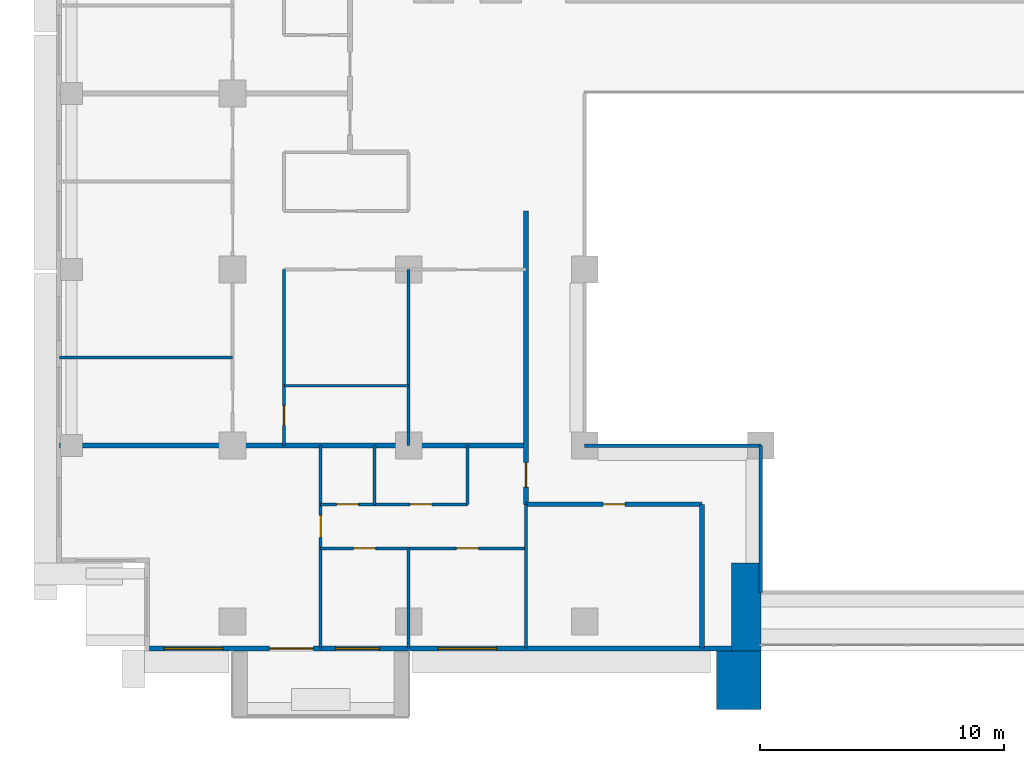
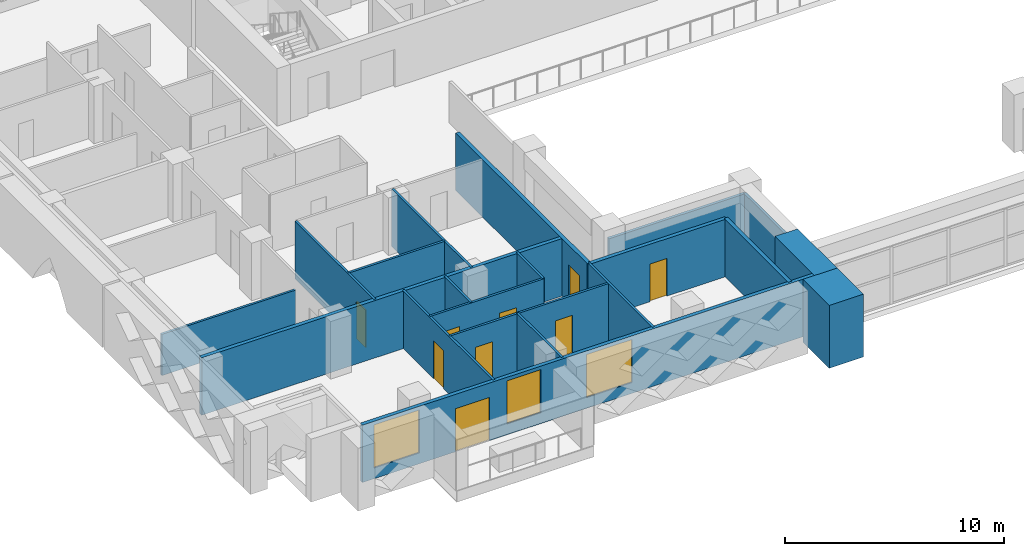
# One storey, part 6 of 19: 20 walls, 9 doors, 3 windows, 12 openings.
"""IFC4 building model written with IfcOpenShell, lengths in metres."""

from ifc_helpers import new_model, si_unit, direction, frame, frame_2d, origin, place, context, subcontext, project, spatial, rectangle, extrude, material, layer, layer_set, type_object, element, fill, save


model = new_model("IFC4")

# Units and contexts
model_context = context("Model", 3, precision=1e-05, world=origin(), true_north=direction((0.0, 1.0)))
body_context = subcontext(model_context, "Body", "Model", "MODEL_VIEW")
ifc_project = project(units=[si_unit("LENGTHUNIT", "METRE"), si_unit("AREAUNIT", "SQUARE_METRE"), si_unit("VOLUMEUNIT", "CUBIC_METRE"), si_unit("PLANEANGLEUNIT", "RADIAN"), si_unit("MASSUNIT", "GRAM", prefix="KILO")], contexts=[model_context])

# Site, building, storey
site_placement = place(None, origin())
site = spatial("IfcSite", under=ifc_project, at=site_placement, CompositionType="ELEMENT")
building_placement = place(site_placement, origin())
building = spatial("IfcBuilding", under=site, at=building_placement, Name="Saffron Iwan Residences", CompositionType="ELEMENT")
storey_placement = place(building_placement, frame((0.0, 0.0, 116.5)))
storey = spatial("IfcBuildingStorey", under=building, at=storey_placement, Name="L30", CompositionType="ELEMENT", Elevation=116.5)

# Walls
ifc_material_1 = material(Name="Fire-rated glazing", Category="glass")
ifc_layer_1 = layer(ifc_material_1, 0.14990234375)
ifc_layer_set_1 = layer_set([ifc_layer_1], Name="Fire-rated glazing")
wall_type_1 = type_object("IfcWallType", Name="Atrium glazed screen 150", PredefinedType="SOLIDWALL", material=ifc_layer_set_1)
wall_1_placement = place(storey_placement, frame((36.0, 48.0, 0.0), z_axis=(0.0, 0.0, 1.0), x_axis=(1.0, 0.0, 0.0)))
element("IfcWall", 1, at=wall_1_placement, inside=storey, type_object=wall_type_1, Name="W-L30-SCREEN-h48-36", PredefinedType="SOLIDWALL", context=body_context, shape_type="SweptSolid", body=[
    extrude(rectangle(XDim=7.199951171875, YDim=0.14990234375, at=frame_2d((3.60009765625, 0.0))), origin(), (0.0, 0.0, 1.0), 2.300048828125),
])
wall_2_placement = place(storey_placement, frame((43.199951171875, 42.0, 0.0), z_axis=(0.0, 0.0, 1.0), x_axis=(0.0, 1.0, 0.0)))
element("IfcWall", 2, at=wall_2_placement, inside=storey, type_object=wall_type_1, Name="W-L30-SCREEN-v43.2-42", PredefinedType="SOLIDWALL", context=body_context, shape_type="SweptSolid", body=[
    extrude(rectangle(XDim=6.0, YDim=0.14990234375, at=frame_2d((3.0, 0.0))), origin(), (0.0, 0.0, 1.0), 2.300048828125),
])

# Wall, openings, door, windows
ifc_material_2 = material(Name="Concrete C40/50", Category="concrete")
ifc_layer_2 = layer(ifc_material_2, 0.199951171875)
ifc_layer_set_2 = layer_set([ifc_layer_2], Name="Concrete C40/50")
wall_type_2 = type_object("IfcWallType", Name="EXTERNAL WALL 200", PredefinedType="SOLIDWALL", material=ifc_layer_set_2)
wall_3_placement = place(storey_placement, frame((18.199951171875, 39.699951171875, 0.0), z_axis=(0.0, 0.0, 1.0), x_axis=(1.0, 0.0, 0.0)))
wall_3 = element("IfcWall", 3, at=wall_3_placement, inside=storey, type_object=wall_type_2, Name="External wall L30 F11.0", PredefinedType="SOLIDWALL", context=body_context, shape_type="SweptSolid", body=[
    extrude(rectangle(XDim=23.800048828125, YDim=0.199951171875, at=frame_2d((11.89990234375, 0.0))), origin(), (0.0, 0.0, 1.0), 3.199951171875),
])
opening_1_placement = place(wall_3_placement, frame((4.89990234375, 0.0, 0.0)))
opening_1 = element("IfcOpeningElement", 4, at=opening_1_placement, cuts=wall_3, Name="Opening BD1", PredefinedType="OPENING", context=body_context, shape_type="SweptSolid", body=[
    extrude(rectangle(XDim=1.800048828125, YDim=2.39990234375, at=frame_2d((0.89990234375, 1.199951171875))), frame((0.0, 0.10986328125, 0.0), z_axis=(0.0, -1.0, 0.0), x_axis=(1.0, 0.0, 0.0)), (0.0, 0.0, 1.0), 0.219970703125),
])
opening_2_placement = place(wall_3_placement, frame((0.60009765625, 0.0, 0.60009765625)))
opening_2 = element("IfcOpeningElement", 5, at=opening_2_placement, cuts=wall_3, Name="Opening W1", PredefinedType="OPENING", context=body_context, shape_type="SweptSolid", body=[
    extrude(rectangle(XDim=2.39990234375, YDim=2.39990234375, at=frame_2d((1.199951171875, 1.199951171875))), frame((0.0, 0.10986328125, 0.0), z_axis=(0.0, -1.0, 0.0), x_axis=(1.0, 0.0, 0.0)), (0.0, 0.0, 1.0), 0.219970703125),
])
opening_3_placement = place(wall_3_placement, frame((7.60009765625, 0.0, 0.60009765625)))
opening_3 = element("IfcOpeningElement", 6, at=opening_3_placement, cuts=wall_3, Name="Opening W8", PredefinedType="OPENING", context=body_context, shape_type="SweptSolid", body=[
    extrude(rectangle(XDim=1.800048828125, YDim=2.39990234375, at=frame_2d((0.89990234375, 1.199951171875))), frame((0.0, 0.10986328125, 0.0), z_axis=(0.0, -1.0, 0.0), x_axis=(1.0, 0.0, 0.0)), (0.0, 0.0, 1.0), 0.219970703125),
])
opening_4_placement = place(wall_3_placement, frame((11.800048828125, 0.0, 0.60009765625)))
opening_4 = element("IfcOpeningElement", 7, at=opening_4_placement, cuts=wall_3, Name="Opening W1", PredefinedType="OPENING", context=body_context, shape_type="SweptSolid", body=[
    extrude(rectangle(XDim=2.39990234375, YDim=2.39990234375, at=frame_2d((1.199951171875, 1.199951171875))), frame((0.0, 0.10986328125, 0.0), z_axis=(0.0, -1.0, 0.0), x_axis=(1.0, 0.0, 0.0)), (0.0, 0.0, 1.0), 0.219970703125),
])
ifc_material_3 = material(Name="Clear glass, laminated double glazed", Category="glass")
door_type_1 = type_object("IfcDoorType", Name="BALCONY DOOR 1800 x 2400", OperationType="DOUBLE_DOOR_SLIDING", PredefinedType="DOOR", material=ifc_material_3)
door_1_placement = place(opening_1_placement, origin())
door_1 = element("IfcDoor", 8, at=door_1_placement, inside=storey, type_object=door_type_1, Name="Balcony door L30 F11.0", OperationType="DOUBLE_DOOR_SLIDING", OverallHeight=2.39990234375, OverallWidth=1.800048828125, PredefinedType="DOOR", context=body_context, shape_type="SweptSolid", body=[
    extrude(rectangle(XDim=1.800048828125, YDim=2.39990234375, at=frame_2d((0.89990234375, 1.199951171875))), frame((0.0, 0.02490234375, 0.0), z_axis=(0.0, -1.0, 0.0), x_axis=(1.0, 0.0, 0.0)), (0.0, 0.0, 1.0), 0.050048828125),
])
fill(opening_1, door_1)
window_type_1 = type_object("IfcWindowType", Name="WINDOW 1800 x 2400", PartitioningType="DOUBLE_PANEL_VERTICAL", PredefinedType="WINDOW", material=ifc_material_3)
window_1_placement = place(opening_3_placement, origin())
window_1 = element("IfcWindow", 9, at=window_1_placement, inside=storey, type_object=window_type_1, Name="Window L30 F11.2", OverallHeight=2.39990234375, OverallWidth=1.800048828125, PartitioningType="DOUBLE_PANEL_VERTICAL", PredefinedType="WINDOW", context=body_context, shape_type="SweptSolid", body=[
    extrude(rectangle(XDim=1.800048828125, YDim=2.39990234375, at=frame_2d((0.89990234375, 1.199951171875))), frame((0.0, 0.030029296875, 0.0), z_axis=(0.0, -1.0, 0.0), x_axis=(1.0, 0.0, 0.0)), (0.0, 0.0, 1.0), 0.06005859375),
])
fill(opening_3, window_1)
window_type_2 = type_object("IfcWindowType", Name="WINDOW 2400 x 2400", PartitioningType="DOUBLE_PANEL_VERTICAL", PredefinedType="WINDOW", material=ifc_material_3)
window_2_placement = place(opening_2_placement, origin())
window_2 = element("IfcWindow", 10, at=window_2_placement, inside=storey, type_object=window_type_2, Name="Window L30 F11.1", OverallHeight=2.39990234375, OverallWidth=2.39990234375, PartitioningType="DOUBLE_PANEL_VERTICAL", PredefinedType="WINDOW", context=body_context, shape_type="SweptSolid", body=[
    extrude(rectangle(XDim=2.39990234375, YDim=2.39990234375, at=frame_2d((1.199951171875, 1.199951171875))), frame((0.0, 0.030029296875, 0.0), z_axis=(0.0, -1.0, 0.0), x_axis=(1.0, 0.0, 0.0)), (0.0, 0.0, 1.0), 0.06005859375),
])
fill(opening_2, window_2)
window_3_placement = place(opening_4_placement, origin())
window_3 = element("IfcWindow", 11, at=window_3_placement, inside=storey, type_object=window_type_2, Name="Window L30 F11.3", OverallHeight=2.39990234375, OverallWidth=2.39990234375, PartitioningType="DOUBLE_PANEL_VERTICAL", PredefinedType="WINDOW", context=body_context, shape_type="SweptSolid", body=[
    extrude(rectangle(XDim=2.39990234375, YDim=2.39990234375, at=frame_2d((1.199951171875, 1.199951171875))), frame((0.0, 0.030029296875, 0.0), z_axis=(0.0, -1.0, 0.0), x_axis=(1.0, 0.0, 0.0)), (0.0, 0.0, 1.0), 0.06005859375),
])
fill(opening_4, window_3)

# Wall
ifc_material_4 = material(Name="Fire-rated gypsum board wall")
ifc_layer_3 = layer(ifc_material_4, 0.199951171875)
ifc_layer_set_3 = layer_set([ifc_layer_3], Name="Fire-rated gypsum board wall")
wall_type_3 = type_object("IfcWallType", Name="Flat demising wall 200", PredefinedType="SOLIDWALL", material=ifc_layer_set_3)
wall_4_placement = place(storey_placement, frame((14.52490234375, 48.0, 0.0), z_axis=(0.0, 0.0, 1.0), x_axis=(1.0, 0.0, 0.0)))
element("IfcWall", 12, at=wall_4_placement, inside=storey, type_object=wall_type_3, Name="W-L30-DEMISE-h48-14.525", PredefinedType="SOLIDWALL", context=body_context, shape_type="SweptSolid", body=[
    extrude(rectangle(XDim=19.0751953125, YDim=0.199951171875, at=frame_2d((9.53759765625, 0.0))), origin(), (0.0, 0.0, 1.0), 3.199951171875),
])

# Wall, openings, doors
ifc_material_5 = material(Name="Gypsum board partition")
ifc_layer_4 = layer(ifc_material_5, 0.1201171875)
ifc_layer_set_4 = layer_set([ifc_layer_4], Name="Gypsum board partition")
wall_type_4 = type_object("IfcWallType", Name="Flat partition 120", PredefinedType="PARTITIONING", material=ifc_layer_set_4)
wall_5_placement = place(storey_placement, frame((25.199951171875, 43.800048828125, 0.0), z_axis=(0.0, 0.0, 1.0), x_axis=(1.0, 0.0, 0.0)))
wall_5 = element("IfcWall", 13, at=wall_5_placement, inside=storey, type_object=wall_type_4, Name="W-L30-PART-h43.8-25.2", PredefinedType="PARTITIONING", context=body_context, shape_type="SweptSolid", body=[
    extrude(rectangle(XDim=8.400146484375, YDim=0.1201171875, at=frame_2d((4.2001953125, 0.0))), origin(), (0.0, 0.0, 1.0), 3.199951171875),
])
opening_5_placement = place(wall_5_placement, frame((1.35009765625, 0.0, 0.0)))
opening_5 = element("IfcOpeningElement", 14, at=opening_5_placement, cuts=wall_5, Name="Opening FD2", PredefinedType="OPENING", context=body_context, shape_type="SweptSolid", body=[
    extrude(rectangle(XDim=0.89990234375, YDim=2.10009765625, at=frame_2d((0.449951171875, 1.050048828125))), frame((0.0, 0.070068359375, 0.0), z_axis=(0.0, -1.0, 0.0), x_axis=(1.0, 0.0, 0.0)), (0.0, 0.0, 1.0), 0.14013671875),
])
opening_6_placement = place(wall_5_placement, frame((5.550048828125, 0.0, 0.0)))
opening_6 = element("IfcOpeningElement", 15, at=opening_6_placement, cuts=wall_5, Name="Opening FD2", PredefinedType="OPENING", context=body_context, shape_type="SweptSolid", body=[
    extrude(rectangle(XDim=0.89990234375, YDim=2.10009765625, at=frame_2d((0.449951171875, 1.050048828125))), frame((0.0, 0.070068359375, 0.0), z_axis=(0.0, -1.0, 0.0), x_axis=(1.0, 0.0, 0.0)), (0.0, 0.0, 1.0), 0.14013671875),
])
ifc_material_6 = material(Name="Timber door", Category="wood")
door_type_2 = type_object("IfcDoorType", Name="Flat door 900", OperationType="NOTDEFINED", PredefinedType="DOOR", material=ifc_material_6)
door_2_placement = place(opening_5_placement, origin())
door_2 = element("IfcDoor", 16, at=door_2_placement, inside=storey, type_object=door_type_2, Name="Door L30-003", OperationType="SINGLE_SWING_LEFT", OverallHeight=2.10009765625, OverallWidth=0.89990234375, PredefinedType="DOOR", context=body_context, shape_type="SweptSolid", body=[
    extrude(rectangle(XDim=0.89990234375, YDim=2.10009765625, at=frame_2d((0.449951171875, 1.050048828125))), frame((0.0, 0.02490234375, 0.0), z_axis=(0.0, -1.0, 0.0), x_axis=(1.0, 0.0, 0.0)), (0.0, 0.0, 1.0), 0.050048828125),
])
fill(opening_5, door_2)
door_3_placement = place(opening_6_placement, origin())
door_3 = element("IfcDoor", 17, at=door_3_placement, inside=storey, type_object=door_type_2, Name="Door L30-004", OperationType="SINGLE_SWING_RIGHT", OverallHeight=2.10009765625, OverallWidth=0.89990234375, PredefinedType="DOOR", context=body_context, shape_type="SweptSolid", body=[
    extrude(rectangle(XDim=0.89990234375, YDim=2.10009765625, at=frame_2d((0.449951171875, 1.050048828125))), frame((0.0, 0.02490234375, 0.0), z_axis=(0.0, -1.0, 0.0), x_axis=(1.0, 0.0, 0.0)), (0.0, 0.0, 1.0), 0.050048828125),
])
fill(opening_6, door_3)

wall_6_placement = place(storey_placement, frame((25.199951171875, 45.60009765625, 0.0), z_axis=(0.0, 0.0, 1.0), x_axis=(1.0, 0.0, 0.0)))
wall_6 = element("IfcWall", 18, at=wall_6_placement, inside=storey, type_object=wall_type_4, Name="W-L30-PART-h45.6-25.2", PredefinedType="PARTITIONING", context=body_context, shape_type="SweptSolid", body=[
    extrude(rectangle(XDim=6.0, YDim=0.1201171875, at=frame_2d((3.0, 0.0))), origin(), (0.0, 0.0, 1.0), 3.199951171875),
])
opening_7_placement = place(wall_6_placement, frame((0.64990234375, 0.0, 0.0)))
opening_7 = element("IfcOpeningElement", 19, at=opening_7_placement, cuts=wall_6, Name="Opening FD2", PredefinedType="OPENING", context=body_context, shape_type="SweptSolid", body=[
    extrude(rectangle(XDim=0.89990234375, YDim=2.10009765625, at=frame_2d((0.449951171875, 1.050048828125))), frame((0.0, 0.070068359375, 0.0), z_axis=(0.0, -1.0, 0.0), x_axis=(1.0, 0.0, 0.0)), (0.0, 0.0, 1.0), 0.14013671875),
])
opening_8_placement = place(wall_6_placement, frame((3.64990234375, 0.0, 0.0)))
opening_8 = element("IfcOpeningElement", 20, at=opening_8_placement, cuts=wall_6, Name="Opening FD2", PredefinedType="OPENING", context=body_context, shape_type="SweptSolid", body=[
    extrude(rectangle(XDim=0.89990234375, YDim=2.10009765625, at=frame_2d((0.449951171875, 1.050048828125))), frame((0.0, 0.070068359375, 0.0), z_axis=(0.0, -1.0, 0.0), x_axis=(1.0, 0.0, 0.0)), (0.0, 0.0, 1.0), 0.14013671875),
])
door_4_placement = place(opening_7_placement, origin())
door_4 = element("IfcDoor", 21, at=door_4_placement, inside=storey, type_object=door_type_2, Name="Door L30-005", OperationType="SINGLE_SWING_LEFT", OverallHeight=2.10009765625, OverallWidth=0.89990234375, PredefinedType="DOOR", context=body_context, shape_type="SweptSolid", body=[
    extrude(rectangle(XDim=0.89990234375, YDim=2.10009765625, at=frame_2d((0.449951171875, 1.050048828125))), frame((0.0, 0.02490234375, 0.0), z_axis=(0.0, -1.0, 0.0), x_axis=(1.0, 0.0, 0.0)), (0.0, 0.0, 1.0), 0.050048828125),
])
fill(opening_7, door_4)
door_5_placement = place(opening_8_placement, origin())
door_5 = element("IfcDoor", 22, at=door_5_placement, inside=storey, type_object=door_type_2, Name="Door L30-006", OperationType="SINGLE_SWING_LEFT", OverallHeight=2.10009765625, OverallWidth=0.89990234375, PredefinedType="DOOR", context=body_context, shape_type="SweptSolid", body=[
    extrude(rectangle(XDim=0.89990234375, YDim=2.10009765625, at=frame_2d((0.449951171875, 1.050048828125))), frame((0.0, 0.02490234375, 0.0), z_axis=(0.0, -1.0, 0.0), x_axis=(1.0, 0.0, 0.0)), (0.0, 0.0, 1.0), 0.050048828125),
])
fill(opening_8, door_5)

# Walls
wall_7_placement = place(storey_placement, frame((23.699951171875, 50.449951171875, 0.0), z_axis=(0.0, 0.0, 1.0), x_axis=(1.0, 0.0, 0.0)))
element("IfcWall", 23, at=wall_7_placement, inside=storey, type_object=wall_type_4, Name="W-L30-PART-h50.45-23.7", PredefinedType="PARTITIONING", context=body_context, shape_type="SweptSolid", body=[
    extrude(rectangle(XDim=5.10009765625, YDim=0.1201171875, at=frame_2d((2.550048828125, 0.0))), origin(), (0.0, 0.0, 1.0), 3.199951171875),
])
wall_8_placement = place(storey_placement, frame((14.52490234375, 51.60009765625, 0.0), z_axis=(0.0, 0.0, 1.0), x_axis=(1.0, 0.0, 0.0)))
element("IfcWall", 24, at=wall_8_placement, inside=storey, type_object=wall_type_4, Name="W-L30-PART-h51.6-14.525", PredefinedType="PARTITIONING", context=body_context, shape_type="SweptSolid", body=[
    extrude(rectangle(XDim=7.0751953125, YDim=0.1201171875, at=frame_2d((3.53759765625, 0.0))), origin(), (0.0, 0.0, 1.0), 2.300048828125),
])

# Wall, opening, door
wall_9_placement = place(storey_placement, frame((23.699951171875, 48.0, 0.0), z_axis=(0.0, 0.0, 1.0), x_axis=(0.0, 1.0, 0.0)))
wall_9 = element("IfcWall", 25, at=wall_9_placement, inside=storey, type_object=wall_type_4, Name="W-L30-PART-v23.7-48", PredefinedType="PARTITIONING", context=body_context, shape_type="SweptSolid", body=[
    extrude(rectangle(XDim=7.199951171875, YDim=0.1201171875, at=frame_2d((3.60009765625, 0.0))), origin(), (0.0, 0.0, 1.0), 3.199951171875),
])
opening_9_placement = place(wall_9_placement, frame((0.824951171875, 0.0, 0.0)))
opening_9 = element("IfcOpeningElement", 26, at=opening_9_placement, cuts=wall_9, Name="Opening FD3", PredefinedType="OPENING", context=body_context, shape_type="SweptSolid", body=[
    extrude(rectangle(XDim=0.800048828125, YDim=2.10009765625, at=frame_2d((0.39990234375, 1.050048828125))), frame((0.0, 0.070068359375, 0.0), z_axis=(0.0, -1.0, 0.0), x_axis=(1.0, 0.0, 0.0)), (0.0, 0.0, 1.0), 0.14013671875),
])
door_type_3 = type_object("IfcDoorType", Name="Bathroom door 800", OperationType="NOTDEFINED", PredefinedType="DOOR", material=ifc_material_6)
door_6_placement = place(opening_9_placement, origin())
door_6 = element("IfcDoor", 27, at=door_6_placement, inside=storey, type_object=door_type_3, Name="Door L30-012", OperationType="SINGLE_SWING_LEFT", OverallHeight=2.10009765625, OverallWidth=0.800048828125, PredefinedType="DOOR", context=body_context, shape_type="SweptSolid", body=[
    extrude(rectangle(XDim=0.800048828125, YDim=2.10009765625, at=frame_2d((0.39990234375, 1.050048828125))), frame((0.0, 0.02490234375, 0.0), z_axis=(0.0, -1.0, 0.0), x_axis=(1.0, 0.0, 0.0)), (0.0, 0.0, 1.0), 0.050048828125),
])
fill(opening_9, door_6)

wall_10_placement = place(storey_placement, frame((25.199951171875, 39.72509765625, 0.0), z_axis=(0.0, 0.0, 1.0), x_axis=(0.0, 1.0, 0.0)))
wall_10 = element("IfcWall", 28, at=wall_10_placement, inside=storey, type_object=wall_type_4, Name="W-L30-PART-v25.2-39.725", PredefinedType="PARTITIONING", context=body_context, shape_type="SweptSolid", body=[
    extrude(rectangle(XDim=8.27490234375, YDim=0.1201171875, at=frame_2d((4.137451171875, 0.0))), origin(), (0.0, 0.0, 1.0), 3.199951171875),
])
opening_10_placement = place(wall_10_placement, frame((4.52490234375, 0.0, 0.0)))
opening_10 = element("IfcOpeningElement", 29, at=opening_10_placement, cuts=wall_10, Name="Opening FD2", PredefinedType="OPENING", context=body_context, shape_type="SweptSolid", body=[
    extrude(rectangle(XDim=0.89990234375, YDim=2.10009765625, at=frame_2d((0.449951171875, 1.050048828125))), frame((0.0, 0.070068359375, 0.0), z_axis=(0.0, -1.0, 0.0), x_axis=(1.0, 0.0, 0.0)), (0.0, 0.0, 1.0), 0.14013671875),
])
door_7_placement = place(opening_10_placement, origin())
door_7 = element("IfcDoor", 30, at=door_7_placement, inside=storey, type_object=door_type_2, Name="Door L30-002", OperationType="SINGLE_SWING_LEFT", OverallHeight=2.10009765625, OverallWidth=0.89990234375, PredefinedType="DOOR", context=body_context, shape_type="SweptSolid", body=[
    extrude(rectangle(XDim=0.89990234375, YDim=2.10009765625, at=frame_2d((0.449951171875, 1.050048828125))), frame((0.0, 0.02490234375, 0.0), z_axis=(0.0, -1.0, 0.0), x_axis=(1.0, 0.0, 0.0)), (0.0, 0.0, 1.0), 0.050048828125),
])
fill(opening_10, door_7)

# Walls
wall_11_placement = place(storey_placement, frame((27.39990234375, 45.60009765625, 0.0), z_axis=(0.0, 0.0, 1.0), x_axis=(0.0, 1.0, 0.0)))
element("IfcWall", 31, at=wall_11_placement, inside=storey, type_object=wall_type_4, Name="W-L30-PART-v27.4-45.6", PredefinedType="PARTITIONING", context=body_context, shape_type="SweptSolid", body=[
    extrude(rectangle(XDim=2.39990234375, YDim=0.1201171875, at=frame_2d((1.199951171875, 0.0))), origin(), (0.0, 0.0, 1.0), 3.199951171875),
])
wall_12_placement = place(storey_placement, frame((28.800048828125, 39.72509765625, 0.0), z_axis=(0.0, 0.0, 1.0), x_axis=(0.0, 1.0, 0.0)))
element("IfcWall", 32, at=wall_12_placement, inside=storey, type_object=wall_type_4, Name="W-L30-PART-v28.8-39.725", PredefinedType="PARTITIONING", context=body_context, shape_type="SweptSolid", body=[
    extrude(rectangle(XDim=4.074951171875, YDim=0.1201171875, at=frame_2d((2.03759765625, 0.0))), origin(), (0.0, 0.0, 1.0), 3.199951171875),
])
wall_13_placement = place(storey_placement, frame((28.800048828125, 48.0, 0.0), z_axis=(0.0, 0.0, 1.0), x_axis=(0.0, 1.0, 0.0)))
element("IfcWall", 33, at=wall_13_placement, inside=storey, type_object=wall_type_4, Name="W-L30-PART-v28.8-48", PredefinedType="PARTITIONING", context=body_context, shape_type="SweptSolid", body=[
    extrude(rectangle(XDim=7.199951171875, YDim=0.1201171875, at=frame_2d((3.60009765625, 0.0))), origin(), (0.0, 0.0, 1.0), 3.199951171875),
])
wall_14_placement = place(storey_placement, frame((31.199951171875, 45.60009765625, 0.0), z_axis=(0.0, 0.0, 1.0), x_axis=(0.0, 1.0, 0.0)))
element("IfcWall", 34, at=wall_14_placement, inside=storey, type_object=wall_type_4, Name="W-L30-PART-v31.2-45.6", PredefinedType="PARTITIONING", context=body_context, shape_type="SweptSolid", body=[
    extrude(rectangle(XDim=2.39990234375, YDim=0.1201171875, at=frame_2d((1.199951171875, 0.0))), origin(), (0.0, 0.0, 1.0), 3.199951171875),
])
wall_15_placement = place(storey_placement, frame((33.60009765625, 39.72509765625, 0.0), z_axis=(0.0, 0.0, 1.0), x_axis=(0.0, 1.0, 0.0)))
element("IfcWall", 35, at=wall_15_placement, inside=storey, type_object=wall_type_4, Name="W-L30-PART-v33.6-39.725", PredefinedType="PARTITIONING", context=body_context, shape_type="SweptSolid", body=[
    extrude(rectangle(XDim=5.875, YDim=0.1201171875, at=frame_2d((2.9375, 0.0))), origin(), (0.0, 0.0, 1.0), 3.199951171875),
])

# Wall, opening, door
ifc_layer_5 = layer(ifc_material_4, 0.199951171875)
ifc_layer_set_5 = layer_set([ifc_layer_5], Name="Fire-rated gypsum board wall")
wall_type_5 = type_object("IfcWallType", Name="Gallery wall 200", PredefinedType="SOLIDWALL", material=ifc_layer_set_5)
wall_16_placement = place(storey_placement, frame((33.60009765625, 45.60009765625, 0.0), z_axis=(0.0, 0.0, 1.0), x_axis=(1.0, 0.0, 0.0)))
wall_16 = element("IfcWall", 36, at=wall_16_placement, inside=storey, type_object=wall_type_5, Name="W-L30-CORR-h45.6-33.6", PredefinedType="SOLIDWALL", context=body_context, shape_type="SweptSolid", body=[
    extrude(rectangle(XDim=7.199951171875, YDim=0.199951171875, at=frame_2d((3.60009765625, 0.0))), origin(), (0.0, 0.0, 1.0), 3.199951171875),
])
opening_11_placement = place(wall_16_placement, frame((3.14990234375, 0.0, 0.0)))
opening_11 = element("IfcOpeningElement", 37, at=opening_11_placement, cuts=wall_16, Name="Opening FD2", PredefinedType="OPENING", context=body_context, shape_type="SweptSolid", body=[
    extrude(rectangle(XDim=0.89990234375, YDim=2.10009765625, at=frame_2d((0.449951171875, 1.050048828125))), frame((0.0, 0.10986328125, 0.0), z_axis=(0.0, -1.0, 0.0), x_axis=(1.0, 0.0, 0.0)), (0.0, 0.0, 1.0), 0.219970703125),
])
door_8_placement = place(opening_11_placement, origin())
door_8 = element("IfcDoor", 38, at=door_8_placement, inside=storey, type_object=door_type_2, Name="Door L30-007", OperationType="SINGLE_SWING_RIGHT", OverallHeight=2.10009765625, OverallWidth=0.89990234375, PredefinedType="DOOR", context=body_context, shape_type="SweptSolid", body=[
    extrude(rectangle(XDim=0.89990234375, YDim=2.10009765625, at=frame_2d((0.449951171875, 1.050048828125))), frame((0.0, 0.02490234375, 0.0), z_axis=(0.0, -1.0, 0.0), x_axis=(1.0, 0.0, 0.0)), (0.0, 0.0, 1.0), 0.050048828125),
])
fill(opening_11, door_8)

wall_17_placement = place(storey_placement, frame((33.60009765625, 45.60009765625, 0.0), z_axis=(0.0, 0.0, 1.0), x_axis=(0.0, 1.0, 0.0)))
wall_17 = element("IfcWall", 39, at=wall_17_placement, inside=storey, type_object=wall_type_5, Name="W-L30-CORR-v33.6-45.6", PredefinedType="SOLIDWALL", context=body_context, shape_type="SweptSolid", body=[
    extrude(rectangle(XDim=12.0, YDim=0.199951171875, at=frame_2d((6.0, 0.0))), origin(), (0.0, 0.0, 1.0), 3.199951171875),
])
opening_12_placement = place(wall_17_placement, frame((0.699951171875, 0.0, 0.0)))
opening_12 = element("IfcOpeningElement", 40, at=opening_12_placement, cuts=wall_17, Name="Opening FD1", PredefinedType="OPENING", context=body_context, shape_type="SweptSolid", body=[
    extrude(rectangle(XDim=1.0, YDim=2.10009765625, at=frame_2d((0.5, 1.050048828125))), frame((0.0, 0.10986328125, 0.0), z_axis=(0.0, -1.0, 0.0), x_axis=(1.0, 0.0, 0.0)), (0.0, 0.0, 1.0), 0.219970703125),
])
ifc_material_7 = material(Name="Fire-rated timber door", Category="wood")
door_type_4 = type_object("IfcDoorType", Name="FD30S flat entrance door 1000", OperationType="NOTDEFINED", PredefinedType="DOOR", material=ifc_material_7)
door_9_placement = place(opening_12_placement, origin())
door_9 = element("IfcDoor", 41, at=door_9_placement, inside=storey, type_object=door_type_4, Name="Door L30-001", OperationType="SINGLE_SWING_RIGHT", OverallHeight=2.10009765625, OverallWidth=1.0, PredefinedType="DOOR", context=body_context, shape_type="SweptSolid", body=[
    extrude(rectangle(XDim=1.0, YDim=2.10009765625, at=frame_2d((0.5, 1.050048828125))), frame((0.0, 0.02490234375, 0.0), z_axis=(0.0, -1.0, 0.0), x_axis=(1.0, 0.0, 0.0)), (0.0, 0.0, 1.0), 0.050048828125),
])
fill(opening_12, door_9)

# Walls
wall_18_placement = place(storey_placement, frame((40.800048828125, 39.72509765625, 0.0), z_axis=(0.0, 0.0, 1.0), x_axis=(0.0, 1.0, 0.0)))
element("IfcWall", 42, at=wall_18_placement, inside=storey, type_object=wall_type_5, Name="W-L30-CORR-v40.8-39.725", PredefinedType="SOLIDWALL", context=body_context, shape_type="SweptSolid", body=[
    extrude(rectangle(XDim=5.875, YDim=0.199951171875, at=frame_2d((2.9375, 0.0))), origin(), (0.0, 0.0, 1.0), 3.199951171875),
])
ifc_material_8 = material(Name="Terracotta screen, precast concrete C40/50", Category="masonry")
ifc_layer_6 = layer(ifc_material_8, 1.800048828125)
ifc_layer_set_6 = layer_set([ifc_layer_6], Name="Terracotta screen, precast concrete C40/50")
wall_type_6 = type_object("IfcWallType", Name="Portal pier, precast concrete 1800 (tower)", PredefinedType="SOLIDWALL", material=ifc_layer_set_6)
wall_19_placement = place(storey_placement, frame((42.300048828125, 37.199951171875, -0.300048828125), z_axis=(0.0, 0.0, 1.0), x_axis=(0.0, 1.0, 0.0)))
element("IfcWall", 43, at=wall_19_placement, inside=storey, type_object=wall_type_6, Name="Portal pier W L30", PredefinedType="SOLIDWALL", context=body_context, shape_type="SweptSolid", body=[
    extrude(rectangle(XDim=2.400146484375, YDim=1.800048828125, at=frame_2d((1.2001953125, 0.0))), origin(), (0.0, 0.0, 1.0), 3.5),
])
ifc_material_9 = material(Name="Concrete C50/60", Category="concrete")
ifc_layer_7 = layer(ifc_material_9, 1.199951171875)
ifc_layer_set_7 = layer_set([ifc_layer_7], Name="Concrete C50/60")
wall_type_7 = type_object("IfcWallType", Name="WALL IWAN PIER 1200 C50/60 3200 HIGH", PredefinedType="SHEAR", material=ifc_layer_set_7)
wall_20_placement = place(storey_placement, frame((42.60009765625, 39.60009765625, 0.0), z_axis=(0.0, 0.0, 1.0), x_axis=(0.0, 1.0, 0.0)))
element("IfcWall", 44, at=wall_20_placement, inside=storey, type_object=wall_type_7, Name="IWAN PIER", PredefinedType="SHEAR", context=body_context, shape_type="SweptSolid", body=[
    extrude(rectangle(XDim=3.599853515625, YDim=1.199951171875, at=frame_2d((1.7998046875, 0.0))), origin(), (0.0, 0.0, 1.0), 3.199951171875),
])

save(model, "model.ifc")
